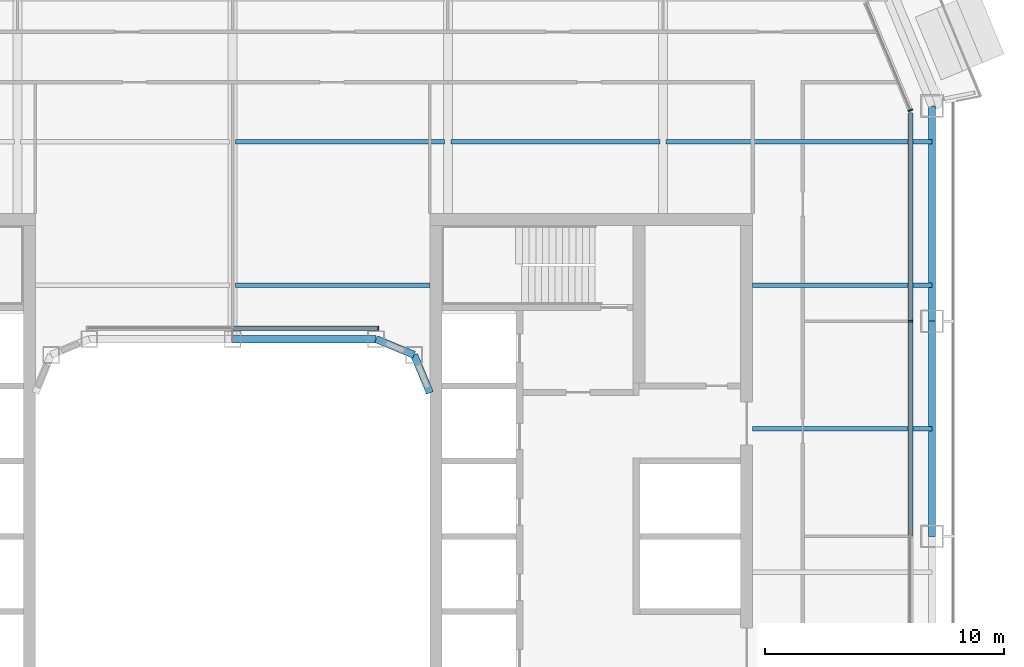
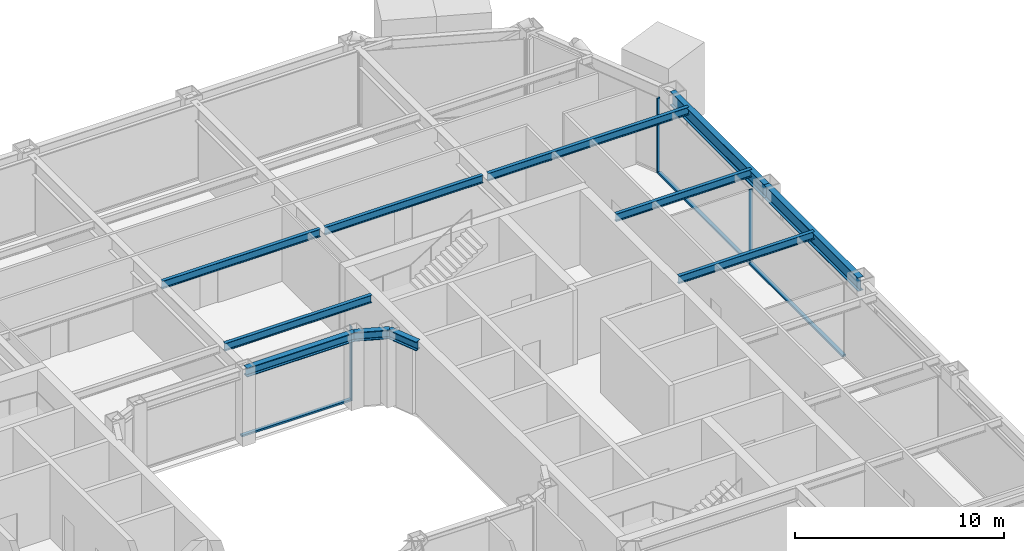
# One storey, part 8 of 23: 11 beams, 6 members, 3 elements without a shape of their own.
"""IFC4 building model written with IfcOpenShell, lengths in metres."""

import ifcopenshell
import ifcopenshell.guid

model = None  # the IFC model being written
_history = None  # IfcOwnerHistory: only IFC2X3 demands one
_inside = {}  # id of a spatial element -> (the spatial element, [elements in it])
_under = {}  # id of a project, library or spatial element -> (it, [spatial elements below it])
_declared = {}  # id of a project -> (the project, [libraries it declares])
_typed = {}  # id of a type object -> (the type object, [elements of that type])
_made_of = {}  # id of a material, layer set ... -> (it, [elements and type objects made of it])


def new_model(schema):
    """Start an empty IFC model of exactly this schema.

    Asked for "IFC4X3", IfcOpenShell would pick the latest addendum, in which some entities
    have other attributes; the version numbers below select the first issue.
    IFC2X3 requires an IfcOwnerHistory on every rooted entity: one is made here for all.
    """
    global model, _history
    if schema == "IFC4X3":
        model = ifcopenshell.file(schema_version=(4, 3, 0, 0))
    else:
        model = ifcopenshell.file(schema=schema)
    _inside.clear()
    _under.clear()
    _declared.clear()
    _typed.clear()
    _made_of.clear()
    _history = None
    if model.schema == "IFC2X3":
        org = make("IfcOrganization", Name="unknown")
        user = make(
            "IfcPersonAndOrganization",
            ThePerson=make("IfcPerson", FamilyName="unknown"),
            TheOrganization=org,
        )
        app = make(
            "IfcApplication",
            ApplicationDeveloper=org,
            Version="unknown",
            ApplicationFullName="unknown",
            ApplicationIdentifier="unknown",
        )
        _history = make(
            "IfcOwnerHistory",
            OwningUser=user,
            OwningApplication=app,
            ChangeAction="ADDED",
            CreationDate=0,
        )
    return model


def make(cls, **values):
    """One entity of the class cls with the attributes given. An attribute that is None is left unset."""
    return model.create_entity(
        cls, **{name: value for name, value in values.items() if value is not None}
    )


def rooted(cls, **values):
    """An entity with a GlobalId (a new one), such as an element, a storey or a relation."""
    return make(cls, GlobalId=ifcopenshell.guid.new(), OwnerHistory=_history, **values)


def si_unit(unit_type, name, prefix=None):
    """IfcSIUnit, for example si_unit("LENGTHUNIT", "METRE", prefix="MILLI")."""
    return make("IfcSIUnit", UnitType=unit_type, Prefix=prefix, Name=name)


def assignment(units):
    """IfcUnitAssignment: the units of a project."""
    return None if units is None else make("IfcUnitAssignment", Units=units)


def point(xyz):
    """IfcCartesianPoint."""
    return None if xyz is None else make("IfcCartesianPoint", Coordinates=xyz)


def direction(xyz):
    """IfcDirection."""
    return None if xyz is None else make("IfcDirection", DirectionRatios=xyz)


def frame(location, z_axis=None, x_axis=None):
    """IfcAxis2Placement3D, a coordinate frame: its origin and axes. An axis left out is left unset."""
    return make(
        "IfcAxis2Placement3D",
        Location=point(location),
        Axis=direction(z_axis),
        RefDirection=direction(x_axis),
    )


def frame_2d(location, x_axis=None):
    """IfcAxis2Placement2D, a coordinate frame in the plane: its origin and x axis."""
    return make(
        "IfcAxis2Placement2D", Location=point(location), RefDirection=direction(x_axis)
    )


def origin():
    """The frame at (0, 0, 0) with its axes left unset."""
    return frame((0.0, 0.0, 0.0))


def origin_2d():
    """The frame at (0, 0) in the plane with its x axis left unset."""
    return frame_2d((0.0, 0.0))


def place(relative_to, where):
    """IfcLocalPlacement: puts the frame where relative to a parent placement (None: the world)."""
    return make(
        "IfcLocalPlacement", PlacementRelTo=relative_to, RelativePlacement=where
    )


def context(
    kind, dimensions, precision=None, world=None, true_north=None, identifier=None
):
    """IfcGeometricRepresentationContext, for example the 3D "Model" context."""
    return make(
        "IfcGeometricRepresentationContext",
        ContextIdentifier=identifier,
        ContextType=kind,
        CoordinateSpaceDimension=dimensions,
        Precision=precision,
        WorldCoordinateSystem=world,
        TrueNorth=true_north,
    )


def subcontext(parent, identifier, kind, view, scale=None):
    """IfcGeometricRepresentationSubContext, for example "Body" below "Model"."""
    return make(
        "IfcGeometricRepresentationSubContext",
        ContextIdentifier=identifier,
        ContextType=kind,
        ParentContext=parent,
        TargetScale=scale,
        TargetView=view,
    )


def project(units=None, contexts=None):
    """IfcProject with its units and contexts."""
    return rooted(
        "IfcProject",
        Name="project",
        RepresentationContexts=contexts,
        UnitsInContext=assignment(units),
    )


def spatial(cls, under=None, at=None, **own):
    """A site, building, storey or space (cls), placed at a placement, below another one or the project."""
    s = rooted(cls, ObjectPlacement=at, **own)
    if under is not None:
        _under.setdefault(under.id(), (under, []))[1].append(s)
    return s


def profile(cls, at=None, kind="AREA", **sizes):
    """A parametric profile (cls). Its sizes go by their IFC names, for example OverallWidth=200.0."""
    return make(cls, ProfileType=kind, Position=at, **sizes)


def rectangle(**sizes):
    """IfcRectangleProfileDef."""
    return profile("IfcRectangleProfileDef", **sizes)


def i_section(**sizes):
    """IfcIShapeProfileDef."""
    return profile("IfcIShapeProfileDef", **sizes)


def extrude(swept, where, along, depth):
    """IfcExtrudedAreaSolid: the profile swept, set in the frame where, extruded along a direction by depth."""
    return make(
        "IfcExtrudedAreaSolid",
        SweptArea=swept,
        Position=where,
        ExtrudedDirection=direction(along),
        Depth=depth,
    )


def shape(context_of_items, identifier, shape_type, items):
    """IfcShapeRepresentation: the items that make up one representation, for example the "Body"."""
    return make(
        "IfcShapeRepresentation",
        ContextOfItems=context_of_items,
        RepresentationIdentifier=identifier,
        RepresentationType=shape_type,
        Items=items,
    )


def material(Name=None, Category=None):
    """IfcMaterial."""
    return make("IfcMaterial", Name=Name, Category=Category)


def layer(
    of_material, thickness, ventilated=None, Name=None, Category=None, Priority=None
):
    """IfcMaterialLayer: one layer of a wall or slab, of a material (None: an air gap)."""
    return make(
        "IfcMaterialLayer",
        Material=of_material,
        LayerThickness=thickness,
        IsVentilated=ventilated,
        Name=Name,
        Category=Category,
        Priority=Priority,
    )


def layer_set(layers, Name=None):
    """IfcMaterialLayerSet."""
    return make("IfcMaterialLayerSet", MaterialLayers=layers, LayerSetName=Name)


def material_profile(
    of_material, cross_section, Name=None, Category=None, Priority=None
):
    """IfcMaterialProfile: a cross section and its material."""
    return make(
        "IfcMaterialProfile",
        Name=Name,
        Material=of_material,
        Profile=cross_section,
        Priority=Priority,
        Category=Category,
    )


def profile_set(profiles, Name=None, composite=None):
    """IfcMaterialProfileSet."""
    return make(
        "IfcMaterialProfileSet",
        Name=Name,
        MaterialProfiles=profiles,
        CompositeProfile=composite,
    )


def made_of(thing, what):
    """Note that an element or type object is made of a material, layer set ...; save() writes the relation."""
    if what is not None:
        _made_of.setdefault(what.id(), (what, []))[1].append(thing)
    return thing


def type_object(cls, material=None, **own):
    """A type object (cls), such as IfcWallType, which elements share."""
    return made_of(rooted(cls, **own), material)


def element(
    cls,
    number,
    at=None,
    inside=None,
    cuts=None,
    type_object=None,
    material=None,
    context=None,
    identifier="Body",
    shape_type=None,
    held_by="IfcProductDefinitionShape",
    body=None,
    shapes=None,
    **own,
):
    """One element of the class cls, such as IfcWall. Its Tag is "e" and its number.

    at: its placement. inside: the storey or other place that contains it. cuts: it is an
    opening in that element (IfcRelVoidsElement). A single representation is given by context,
    identifier, shape_type and body (its items); several are given by shapes. held_by: the class
    of the entity that holds the representations. save() writes the other relations.
    """
    e = rooted(cls, Tag="e%d" % number, ObjectPlacement=at, **own)
    if body is not None:
        shapes = [shape(context, identifier, shape_type, body)]
    if shapes is not None:
        e.Representation = make(held_by, Representations=shapes)
    if inside is not None:
        _inside.setdefault(inside.id(), (inside, []))[1].append(e)
    if cuts is not None:
        rooted(
            "IfcRelVoidsElement", RelatingBuildingElement=cuts, RelatedOpeningElement=e
        )
    if type_object is not None:
        _typed.setdefault(type_object.id(), (type_object, []))[1].append(e)
    return made_of(e, material)


def aggregate(whole, parts):
    """IfcRelAggregates: a whole, such as a stair, and the parts it consists of."""
    return rooted("IfcRelAggregates", RelatingObject=whole, RelatedObjects=parts)


def save(model, path):
    """Write the relations noted so far, then the file.

    IfcRelAggregates (storeys below a building ...), IfcRelContainedInSpatialStructure (elements
    in a storey), IfcRelDefinesByType, IfcRelAssociatesMaterial and IfcRelDeclares: one each for
    every whole, place, type object, material and project.
    """
    for whole, parts in _under.values():
        aggregate(whole, parts)
    for where, things in _inside.values():
        rooted(
            "IfcRelContainedInSpatialStructure",
            RelatedElements=things,
            RelatingStructure=where,
        )
    for kind, things in _typed.values():
        rooted("IfcRelDefinesByType", RelatedObjects=things, RelatingType=kind)
    for what, things in _made_of.values():
        rooted("IfcRelAssociatesMaterial", RelatedObjects=things, RelatingMaterial=what)
    for by, libraries in _declared.values():
        rooted("IfcRelDeclares", RelatingContext=by, RelatedDefinitions=libraries)
    model.write(path)


model = new_model("IFC4")

# Units and contexts
model_context = context("Model", 3, precision=1e-05, world=origin(), true_north=direction((0.0, 1.0)))
body_context = subcontext(model_context, "Body", "Model", "MODEL_VIEW")
ifc_project = project(units=[si_unit("LENGTHUNIT", "METRE"), si_unit("AREAUNIT", "SQUARE_METRE"), si_unit("VOLUMEUNIT", "CUBIC_METRE"), si_unit("PLANEANGLEUNIT", "RADIAN"), si_unit("MASSUNIT", "GRAM", prefix="KILO")], contexts=[model_context])

# Site, building, storey
site_placement = place(None, origin())
site = spatial("IfcSite", under=ifc_project, at=site_placement, CompositionType="ELEMENT")
building_placement = place(site_placement, origin())
building = spatial("IfcBuilding", under=site, at=building_placement, Name="Siwar Civic Tower", CompositionType="ELEMENT")
storey_placement = place(building_placement, frame((0.0, 0.0, 131.699951171875)))
storey = spatial("IfcBuildingStorey", under=building, at=storey_placement, Name="L28", CompositionType="ELEMENT", Elevation=131.699951171875)

# Curtain wall, member
ifc_material_1 = material(Name="Aluminium and glass", Category="aluminium")
ifc_layer_1 = layer(ifc_material_1, 0.199951171875)
ifc_layer_set_1 = layer_set([ifc_layer_1], Name="Aluminium and glass")
curtain_wall_type_1 = type_object("IfcCurtainWallType", Name="ENV-CW-B", PredefinedType="NOTDEFINED", material=ifc_layer_set_1)
curtain_wall_1_placement = place(storey_placement, origin())
curtain_wall_1 = element("IfcCurtainWall", 1, at=curtain_wall_1_placement, inside=storey, type_object=curtain_wall_type_1, Name="Curtain wall B E", PredefinedType="NOTDEFINED")
ifc_material_2 = material(Name="Aluminium 6063-T6", Category="aluminium")
ifc_material_profile_1 = material_profile(ifc_material_2, rectangle(XDim=0.199951171875, YDim=0.06494140625, at=origin_2d()), Name="AL 200x65")
ifc_profile_set_1 = profile_set([ifc_material_profile_1], Name="Aluminium 6063-T6")
member_type_1 = type_object("IfcMemberType", Name="ENV-MULLION-B", PredefinedType="MULLION", material=ifc_profile_set_1)
member_1_placement = place(storey_placement, frame((28.35009765625, 9.0, 0.0), z_axis=(0.0, 0.0, 1.0), x_axis=(-1.0, 0.0, 0.0)))
member_1 = element("IfcMember", 2, at=member_1_placement, type_object=member_type_1, Name="Mullion B E 4", PredefinedType="MULLION", context=body_context, shape_type="SweptSolid", body=[
    extrude(rectangle(XDim=0.199951171875, YDim=0.06494140625, at=origin_2d()), origin(), (0.0, 0.0, 1.0), 4.35009765625),
])

ifc_material_3 = material(Name="Aluminium clad insulated panel", Category="aluminium")
ifc_layer_2 = layer(ifc_material_3, 0.199951171875)
ifc_layer_set_2 = layer_set([ifc_layer_2], Name="Aluminium clad insulated panel")
curtain_wall_type_2 = type_object("IfcCurtainWallType", Name="ENV-CW-BX", PredefinedType="NOTDEFINED", material=ifc_layer_set_2)
curtain_wall_2_placement = place(storey_placement, origin())
curtain_wall_2 = element("IfcCurtainWall", 3, at=curtain_wall_2_placement, inside=storey, type_object=curtain_wall_type_2, Name="Curtain wall B NE1", PredefinedType="NOTDEFINED")
member_2_placement = place(storey_placement, frame((28.35009765625, 17.821044921875, 0.0), z_axis=(0.0, 0.0, 1.0), x_axis=(-0.923879532511, -0.382683432365, 0.0)))
member_2 = element("IfcMember", 4, at=member_2_placement, type_object=member_type_1, Name="Mullion B NE1 1", PredefinedType="MULLION", context=body_context, shape_type="SweptSolid", body=[
    extrude(rectangle(XDim=0.199951171875, YDim=0.06494140625, at=origin_2d()), origin(), (0.0, 0.0, 1.0), 4.35009765625),
])
aggregate(curtain_wall_2, [member_2])

ifc_material_4 = material(Name="Aluminium and glass", Category="aluminium")
ifc_layer_3 = layer(ifc_material_4, 0.179931640625)
ifc_layer_set_3 = layer_set([ifc_layer_3], Name="Aluminium and glass")
curtain_wall_type_3 = type_object("IfcCurtainWallType", Name="ENV-CW-W", PredefinedType="NOTDEFINED", material=ifc_layer_set_3)
curtain_wall_3_placement = place(storey_placement, origin())
curtain_wall_3 = element("IfcCurtainWall", 5, at=curtain_wall_3_placement, inside=storey, type_object=curtain_wall_type_3, Name="Curtain wall W WN", PredefinedType="NOTDEFINED")
ifc_material_5 = material(Name="Aluminium 6063-T6", Category="aluminium")
ifc_material_profile_2 = material_profile(ifc_material_5, rectangle(XDim=0.179931640625, YDim=0.06005859375, at=origin_2d()), Name="AL 180x60")
ifc_profile_set_2 = profile_set([ifc_material_profile_2], Name="Aluminium 6063-T6")
member_type_2 = type_object("IfcMemberType", Name="ENV-MULLION-W", PredefinedType="MULLION", material=ifc_profile_set_2)
member_3_placement = place(storey_placement, frame((6.091552734375, 8.7099609375, 0.0), z_axis=(0.0, 0.0, 1.0), x_axis=(0.0, -1.0, 0.0)))
member_3 = element("IfcMember", 6, at=member_3_placement, type_object=member_type_2, Name="Mullion W WN 1", PredefinedType="MULLION", context=body_context, shape_type="SweptSolid", body=[
    extrude(rectangle(XDim=0.179931640625, YDim=0.06005859375, at=origin_2d()), origin(), (0.0, 0.0, 1.0), 4.35009765625),
])

# Member
ifc_material_6 = material(Name="Aluminium 6063-T6", Category="aluminium")
ifc_material_profile_3 = material_profile(ifc_material_6, rectangle(XDim=0.199951171875, YDim=0.110107421875, at=origin_2d()), Name="AL 200x110")
ifc_profile_set_3 = profile_set([ifc_material_profile_3], Name="Aluminium 6063-T6")
member_type_3 = type_object("IfcMemberType", Name="ENV-TRANSOM-B", PredefinedType="USERDEFINED", material=ifc_profile_set_3)
member_4_placement = place(storey_placement, frame((28.35009765625, 0.032470703125, 0.054931640625), z_axis=(0.0, 1.0, 0.0), x_axis=(-1.0, 0.0, 0.0)))
member_4 = element("IfcMember", 7, at=member_4_placement, type_object=member_type_3, Name="Transom B E 3", ObjectType="TRANSOM", PredefinedType="USERDEFINED", context=body_context, shape_type="SweptSolid", body=[
    extrude(rectangle(XDim=0.199951171875, YDim=0.110107421875, at=origin_2d()), origin(), (0.0, 0.0, 1.0), 8.93505859375),
])

member_5_placement = place(storey_placement, frame((28.35009765625, 9.032470703125, 0.054931640625), z_axis=(0.0, 1.0, 0.0), x_axis=(-1.0, 0.0, 0.0)))
member_5 = element("IfcMember", 8, at=member_5_placement, type_object=member_type_3, Name="Transom B E 4", ObjectType="TRANSOM", PredefinedType="USERDEFINED", context=body_context, shape_type="SweptSolid", body=[
    extrude(rectangle(XDim=0.199951171875, YDim=0.110107421875, at=origin_2d()), origin(), (0.0, 0.0, 1.0), 8.6748046875),
])

aggregate(curtain_wall_1, [member_1, member_4, member_5])

ifc_material_7 = material(Name="Aluminium 6063-T6", Category="aluminium")
ifc_material_profile_4 = material_profile(ifc_material_7, rectangle(XDim=0.179931640625, YDim=0.10009765625, at=origin_2d()), Name="AL 180x100")
ifc_profile_set_4 = profile_set([ifc_material_profile_4], Name="Aluminium 6063-T6")
member_type_4 = type_object("IfcMemberType", Name="ENV-TRANSOM-W", PredefinedType="USERDEFINED", material=ifc_profile_set_4)
member_6_placement = place(storey_placement, frame((6.0615234375, 8.7099609375, 0.050048828125), z_axis=(-1.0, 0.0, 0.0), x_axis=(0.0, -1.0, 0.0)))
member_6 = element("IfcMember", 9, at=member_6_placement, type_object=member_type_4, Name="Transom W WN 1", ObjectType="TRANSOM", PredefinedType="USERDEFINED", context=body_context, shape_type="SweptSolid", body=[
    extrude(rectangle(XDim=0.179931640625, YDim=0.10009765625, at=origin_2d()), origin(), (0.0, 0.0, 1.0), 6.031494140625),
])

aggregate(curtain_wall_3, [member_3, member_6])

# Beams
ifc_material_8 = material(Name="Steel S355", Category="steel")
ifc_material_profile_5 = material_profile(ifc_material_8, i_section(OverallWidth=0.18994140625, OverallDepth=0.449951171875, WebThickness=0.009521484375, FlangeThickness=0.0146484375, FilletRadius=0.02099609375, at=origin_2d()), Name="IPE450")
ifc_profile_set_5 = profile_set([ifc_material_profile_5], Name="Steel S355")
beam_type_1 = type_object("IfcBeamType", Name="STR-FB-IPE450", PredefinedType="JOIST", material=ifc_profile_set_5)
beam_1_placement = place(storey_placement, frame((21.75, 4.5, 4.125), z_axis=(1.0, 0.0, 0.0), x_axis=(0.0, 1.0, 0.0)))
element("IfcBeam", 10, at=beam_1_placement, inside=storey, type_object=beam_type_1, Name="L28/bm/F026", PredefinedType="JOIST", context=body_context, shape_type="SweptSolid", body=[
    extrude(i_section(OverallWidth=0.18994140625, OverallDepth=0.449951171875, WebThickness=0.009521484375, FlangeThickness=0.0146484375, FilletRadius=0.02099609375, at=origin_2d()), origin(), (0.0, 0.0, 1.0), 7.5),
])
beam_2_placement = place(storey_placement, frame((0.1298828125, 10.5, 4.125), z_axis=(1.0, 0.0, 0.0), x_axis=(0.0, 1.0, 0.0)))
element("IfcBeam", 11, at=beam_2_placement, inside=storey, type_object=beam_type_1, Name="L28/bm/F029", PredefinedType="JOIST", context=body_context, shape_type="SweptSolid", body=[
    extrude(i_section(OverallWidth=0.18994140625, OverallDepth=0.449951171875, WebThickness=0.009521484375, FlangeThickness=0.0146484375, FilletRadius=0.02099609375, at=origin_2d()), origin(), (0.0, 0.0, 1.0), 8.1201171875),
])
beam_3_placement = place(storey_placement, frame((21.75, 10.5, 4.125), z_axis=(1.0, 0.0, 0.0), x_axis=(0.0, 1.0, 0.0)))
element("IfcBeam", 12, at=beam_3_placement, inside=storey, type_object=beam_type_1, Name="L28/bm/F030", PredefinedType="JOIST", context=body_context, shape_type="SweptSolid", body=[
    extrude(i_section(OverallWidth=0.18994140625, OverallDepth=0.449951171875, WebThickness=0.009521484375, FlangeThickness=0.0146484375, FilletRadius=0.02099609375, at=origin_2d()), origin(), (0.0, 0.0, 1.0), 7.5),
])
for number, where, z_axis, x_axis, name in (
    (13, (0.1298828125, 16.5, 4.125), (1.0, 0.0, 0.0), (0.0, 1.0, 0.0), "L28/bm/F034"),
    (14, (9.1298828125, 16.5, 4.125), (1.0, 0.0, 0.0), (0.0, 1.0, 0.0), "L28/bm/F035"),
):
    element("IfcBeam", number, at=place(storey_placement, frame(where, z_axis=z_axis, x_axis=x_axis)), inside=storey, type_object=beam_type_1, Name=name, PredefinedType="JOIST", context=body_context, shape_type="SweptSolid", body=[
        extrude(i_section(OverallWidth=0.18994140625, OverallDepth=0.449951171875, WebThickness=0.009521484375, FlangeThickness=0.0146484375, FilletRadius=0.02099609375, at=origin_2d()), origin(), (0.0, 0.0, 1.0), 8.740234375),
    ])
beam_4_placement = place(storey_placement, frame((18.1298828125, 16.5, 4.125), z_axis=(1.0, 0.0, 0.0), x_axis=(0.0, 1.0, 0.0)))
element("IfcBeam", 15, at=beam_4_placement, inside=storey, type_object=beam_type_1, Name="L28/bm/F036", PredefinedType="JOIST", context=body_context, shape_type="SweptSolid", body=[
    extrude(i_section(OverallWidth=0.18994140625, OverallDepth=0.449951171875, WebThickness=0.009521484375, FlangeThickness=0.0146484375, FilletRadius=0.02099609375, at=origin_2d()), origin(), (0.0, 0.0, 1.0), 11.1201171875),
])
ifc_material_9 = material(Name="Steel S355", Category="steel")
ifc_material_profile_6 = material_profile(ifc_material_9, i_section(OverallWidth=0.305908203125, OverallDepth=0.52392578125, WebThickness=0.02099609375, FlangeThickness=0.0400390625, FilletRadius=0.027099609375, at=origin_2d()), Name="HEM500")
ifc_profile_set_6 = profile_set([ifc_material_profile_6], Name="Steel S355")
beam_type_2 = type_object("IfcBeamType", Name="STR-RB-HEM500", PredefinedType="BEAM", material=ifc_profile_set_6)
beam_5_placement = place(storey_placement, frame((0.0, 8.25, 4.088134765625), z_axis=(1.0, 0.0, 0.0), x_axis=(0.0, 1.0, 0.0)))
element("IfcBeam", 16, at=beam_5_placement, inside=storey, type_object=beam_type_2, Name="L28/bm/RN2", PredefinedType="BEAM", context=body_context, shape_type="SweptSolid", body=[
    extrude(i_section(OverallWidth=0.305908203125, OverallDepth=0.52392578125, WebThickness=0.02099609375, FlangeThickness=0.0400390625, FilletRadius=0.027099609375, at=origin_2d()), origin(), (0.0, 0.0, 1.0), 6.0),
])
for number, where, z_axis, x_axis, name in (
    (17, (6.0, 8.25, 4.088134765625), (0.923901072997, -0.382631424892, 0.0), (0.382631424892, 0.923901072997, 0.0), "L28/bm/RN3"),
    (18, (7.591064453125, 7.591064453125, 4.088134765625), (0.382631424892, -0.923901072997, 0.0), (0.923901072997, 0.382631424892, 0.0), "L28/bm/RNEE"),
):
    element("IfcBeam", number, at=place(storey_placement, frame(where, z_axis=z_axis, x_axis=x_axis)), inside=storey, type_object=beam_type_2, Name=name, PredefinedType="BEAM", context=body_context, shape_type="SweptSolid", body=[
        extrude(i_section(OverallWidth=0.305908203125, OverallDepth=0.52392578125, WebThickness=0.02099609375, FlangeThickness=0.0400390625, FilletRadius=0.027099609375, at=origin_2d()), origin(), (0.0, 0.0, 1.0), 1.72216796875),
    ])
ifc_material_10 = material(Name="Steel S355", Category="steel")
ifc_material_profile_7 = material_profile(ifc_material_10, i_section(OverallWidth=0.300048828125, OverallDepth=0.800048828125, WebThickness=0.017578125, FlangeThickness=0.032958984375, FilletRadius=0.030029296875, at=origin_2d()), Name="HEB800")
ifc_profile_set_7 = profile_set([ifc_material_profile_7], Name="Steel S355")
beam_type_3 = type_object("IfcBeamType", Name="STR-SB-HEB800", PredefinedType="BEAM", material=ifc_profile_set_7)
for number, where, z_axis, x_axis, name in (
    (19, (29.25, 0.0, 3.949951171875), (0.0, 1.0, 0.0), (-1.0, 0.0, 0.0), "L28/bm/SE-2"),
    (20, (29.25, 9.0, 3.949951171875), (0.0, 1.0, 0.0), (-1.0, 0.0, 0.0), "L28/bm/SE-3"),
):
    element("IfcBeam", number, at=place(storey_placement, frame(where, z_axis=z_axis, x_axis=x_axis)), inside=storey, type_object=beam_type_3, Name=name, PredefinedType="BEAM", context=body_context, shape_type="SweptSolid", body=[
        extrude(i_section(OverallWidth=0.300048828125, OverallDepth=0.800048828125, WebThickness=0.017578125, FlangeThickness=0.032958984375, FilletRadius=0.030029296875, at=origin_2d()), origin(), (0.0, 0.0, 1.0), 9.0),
    ])

save(model, "model.ifc")
